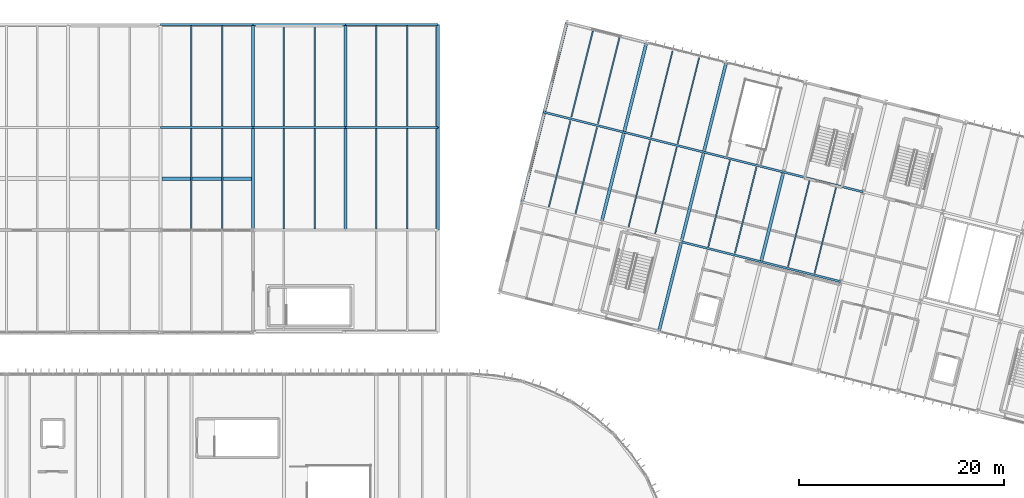
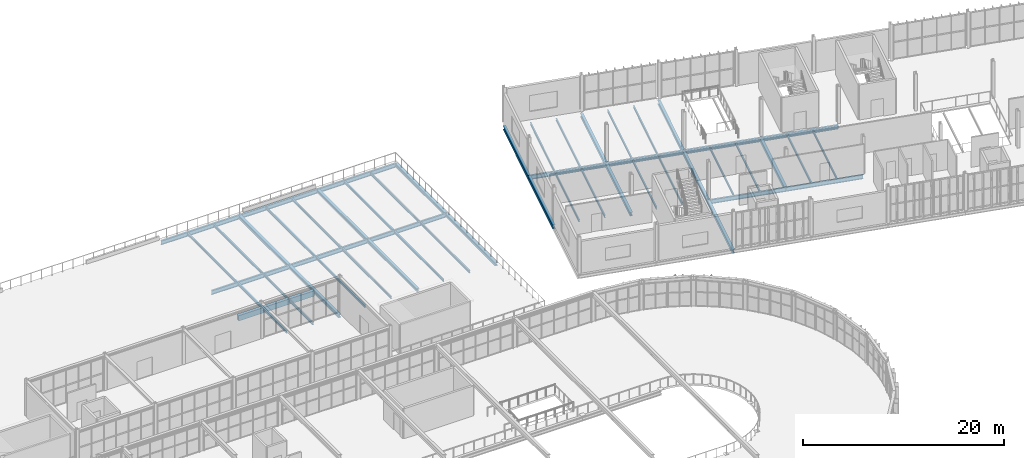
# One storey, part 81 of 152: 51 beams.
"""IFC4 building model written with IfcOpenShell, lengths in metres."""

from ifc_helpers import new_model, si_unit, derived_unit, direction, frame, origin, origin_2d, place, context, subcontext, project, spatial, rectangle, i_section, extrude, material, material_profile, profile_set, type_object, element, save


model = new_model("IFC4")

# Units and contexts
model_context = context("Model", 3, precision=1e-05, world=origin(), true_north=direction((0.0, 1.0)))
body_context = subcontext(model_context, "Body", "Model", "MODEL_VIEW")
ifc_project = project(units=[si_unit("LENGTHUNIT", "METRE"), si_unit("AREAUNIT", "SQUARE_METRE"), si_unit("VOLUMEUNIT", "CUBIC_METRE"), si_unit("PLANEANGLEUNIT", "RADIAN"), si_unit("MASSUNIT", "GRAM", prefix="KILO"), si_unit("THERMODYNAMICTEMPERATUREUNIT", "KELVIN"), si_unit("TIMEUNIT", "SECOND"), derived_unit("THERMALTRANSMITTANCEUNIT", [(si_unit("MASSUNIT", "GRAM", prefix="KILO"), 1), (si_unit("THERMODYNAMICTEMPERATUREUNIT", "KELVIN"), -1), (si_unit("TIMEUNIT", "SECOND"), -3)])], contexts=[model_context])

# Site, building, storey
site_placement = place(None, origin())
site = spatial("IfcSite", under=ifc_project, at=site_placement, CompositionType="ELEMENT")
building_placement = place(site_placement, origin())
building = spatial("IfcBuilding", under=site, at=building_placement, Name="Cambertide Market Hall", CompositionType="ELEMENT")
storey_placement = place(building_placement, frame((0.0, 0.0, 5.39990234375)))
storey = spatial("IfcBuildingStorey", under=building, at=storey_placement, Name="L02", CompositionType="ELEMENT", Elevation=5.39990234375)

# Beams
ifc_material_1 = material(Name="Concrete B30", Category="concrete")
ifc_material_profile_1 = material_profile(ifc_material_1, rectangle(XDim=0.35009765625, YDim=0.64990234375, at=origin_2d()), Name="RC 350x650")
ifc_profile_set_1 = profile_set([ifc_material_profile_1], Name="Concrete B30")
beam_type_1 = type_object("IfcBeamType", Name="Concrete Girder RC 350x650", PredefinedType="BEAM", material=ifc_profile_set_1)
beam_1_placement = place(storey_placement, frame((75.157958984375, 111.0, -0.614990234375), z_axis=(1.0, 0.0, 0.0), x_axis=(0.0, 1.0, 0.0)))
element("IfcBeam", 1, at=beam_1_placement, inside=storey, type_object=beam_type_1, Name="Level 2 Beam TRIM-V2-TERR-6", PredefinedType="BEAM", context=body_context, shape_type="SweptSolid", body=[
    extrude(rectangle(XDim=0.35009765625, YDim=0.64990234375, at=origin_2d()), origin(), (0.0, 0.0, 1.0), 8.68408203125),
])
ifc_material_2 = material(Name="Steel S355", Category="steel")
ifc_material_profile_2 = material_profile(ifc_material_2, i_section(OverallWidth=0.300048828125, OverallDepth=0.39990234375, WebThickness=0.013427734375, FlangeThickness=0.02392578125, FilletRadius=0.027099609375, at=origin_2d()), Name="HEB 400")
ifc_profile_set_2 = profile_set([ifc_material_profile_2], Name="Steel S355")
beam_type_2 = type_object("IfcBeamType", Name="Steel Girder HEB 400", PredefinedType="BEAM", material=ifc_profile_set_2)
for number, where, z_axis, x_axis, name in (
    (2, (84.0, 106.0, -0.489990234375), (0.0, 1.0, 0.0), (-1.0, 0.0, 0.0), "Level 2 Beam BM-V2Y-L02-9-2"),
    (3, (84.0, 116.0, -0.489990234375), (0.0, 1.0, 0.0), (-1.0, 0.0, 0.0), "Level 2 Beam BM-V2Y-L02-9-3"),
    (4, (93.0, 106.0, -0.489990234375), (0.0, 1.0, 0.0), (-1.0, 0.0, 0.0), "Level 2 Beam BM-V2Y-L02-10-2"),
    (5, (93.0, 116.0, -0.489990234375), (0.0, 1.0, 0.0), (-1.0, 0.0, 0.0), "Level 2 Beam BM-V2Y-L02-10-3"),
    (6, (102.0, 106.0, -0.489990234375), (0.0, 1.0, 0.0), (-1.0, 0.0, 0.0), "Level 2 Beam BM-V2Y-L02-11-2"),
    (7, (102.0, 116.0, -0.489990234375), (0.0, 1.0, 0.0), (-1.0, 0.0, 0.0), "Level 2 Beam BM-V2Y-L02-11-3"),
):
    element("IfcBeam", number, at=place(storey_placement, frame(where, z_axis=z_axis, x_axis=x_axis)), inside=storey, type_object=beam_type_2, Name=name, PredefinedType="BEAM", context=body_context, shape_type="SweptSolid", body=[
        extrude(i_section(OverallWidth=0.300048828125, OverallDepth=0.39990234375, WebThickness=0.013427734375, FlangeThickness=0.02392578125, FilletRadius=0.027099609375, at=origin_2d()), origin(), (0.0, 0.0, 1.0), 10.0),
    ])
ifc_material_3 = material(Name="Steel S355", Category="steel")
ifc_material_profile_3 = material_profile(ifc_material_3, i_section(OverallWidth=0.300048828125, OverallDepth=0.449951171875, WebThickness=0.013916015625, FlangeThickness=0.02587890625, FilletRadius=0.027099609375, at=origin_2d()), Name="HEB 450")
ifc_profile_set_3 = profile_set([ifc_material_profile_3], Name="Steel S355")
beam_type_3 = type_object("IfcBeamType", Name="Steel Girder HEB 450", PredefinedType="BEAM", material=ifc_profile_set_3)
beam_2_placement = place(storey_placement, frame((110.182861328125, 108.731201171875, -0.489990234375), z_axis=(0.242535625036, 0.970142500145, 0.0), x_axis=(-0.970142500145, 0.242535625036, 0.0)))
element("IfcBeam", 8, at=beam_2_placement, inside=storey, type_object=beam_type_3, Name="Level 2 Beam BM-V4V-L02-1-2", PredefinedType="BEAM", context=body_context, shape_type="SweptSolid", body=[
    extrude(i_section(OverallWidth=0.300048828125, OverallDepth=0.449951171875, WebThickness=0.013916015625, FlangeThickness=0.02587890625, FilletRadius=0.027099609375, at=origin_2d()), origin(), (0.0, 0.0, 1.0), 9.000244140625),
])
for number, where, z_axis, x_axis, name in (
    (9, (112.36572265625, 117.462646484375, -0.489990234375), (0.242542007841, 0.970140904422, 0.0), (-0.970140904422, 0.242542007841, 0.0), "Level 2 Beam BM-V4V-L02-1-3"),
    (10, (117.94384765625, 106.791015625, -0.489990234375), (0.242542007841, 0.970140904422, 0.0), (-0.970140904422, 0.242542007841, 0.0), "Level 2 Beam BM-V4V-L02-2-2"),
):
    element("IfcBeam", number, at=place(storey_placement, frame(where, z_axis=z_axis, x_axis=x_axis)), inside=storey, type_object=beam_type_3, Name=name, PredefinedType="BEAM", context=body_context, shape_type="SweptSolid", body=[
        extrude(i_section(OverallWidth=0.300048828125, OverallDepth=0.449951171875, WebThickness=0.013916015625, FlangeThickness=0.02587890625, FilletRadius=0.027099609375, at=origin_2d()), origin(), (0.0, 0.0, 1.0), 9.0),
    ])
for number, where, z_axis, x_axis, name in (
    (11, (120.126708984375, 115.522216796875, -0.489990234375), (0.242535625036, 0.970142500145, 0.0), (-0.970142500145, 0.242535625036, 0.0), "Level 2 Beam BM-V4V-L02-2-3"),
    (12, (123.522216796875, 96.119384765625, -0.489990234375), (0.242535625036, 0.970142500145, 0.0), (-0.970142500145, 0.242535625036, 0.0), "Level 2 Beam BM-V4V-L02-3-1"),
):
    element("IfcBeam", number, at=place(storey_placement, frame(where, z_axis=z_axis, x_axis=x_axis)), inside=storey, type_object=beam_type_3, Name=name, PredefinedType="BEAM", context=body_context, shape_type="SweptSolid", body=[
        extrude(i_section(OverallWidth=0.300048828125, OverallDepth=0.449951171875, WebThickness=0.013916015625, FlangeThickness=0.02587890625, FilletRadius=0.027099609375, at=origin_2d()), origin(), (0.0, 0.0, 1.0), 9.000244140625),
    ])
for number, where, z_axis, x_axis, name in (
    (13, (125.705078125, 104.850830078125, -0.489990234375), (0.242542007841, 0.970140904422, 0.0), (-0.970140904422, 0.242542007841, 0.0), "Level 2 Beam BM-V4V-L02-3-2"),
    (14, (127.887939453125, 113.58203125, -0.489990234375), (0.242542007841, 0.970140904422, 0.0), (-0.970140904422, 0.242542007841, 0.0), "Level 2 Beam BM-V4V-L02-3-3"),
    (15, (133.46630859375, 102.910400390625, -0.489990234375), (0.242542007841, 0.970140904422, 0.0), (-0.970140904422, 0.242542007841, 0.0), "Level 2 Beam BM-V4V-L02-4-2"),
):
    element("IfcBeam", number, at=place(storey_placement, frame(where, z_axis=z_axis, x_axis=x_axis)), inside=storey, type_object=beam_type_3, Name=name, PredefinedType="BEAM", context=body_context, shape_type="SweptSolid", body=[
        extrude(i_section(OverallWidth=0.300048828125, OverallDepth=0.449951171875, WebThickness=0.013916015625, FlangeThickness=0.02587890625, FilletRadius=0.027099609375, at=origin_2d()), origin(), (0.0, 0.0, 1.0), 9.0),
    ])
ifc_material_4 = material(Name="Steel S355", Category="steel")
ifc_material_profile_4 = material_profile(ifc_material_4, i_section(OverallWidth=0.199951171875, OverallDepth=0.5, WebThickness=0.01025390625, FlangeThickness=0.01611328125, FilletRadius=0.02099609375, at=origin_2d()), Name="IPE 500")
ifc_profile_set_4 = profile_set([ifc_material_profile_4], Name="Steel S355")
beam_type_4 = type_object("IfcBeamType", Name="Steel Girder IPE 500", PredefinedType="BEAM", material=ifc_profile_set_4)
for number, where, z_axis, x_axis, name in (
    (16, (75.0, 116.0, -0.539794921875), (1.0, 0.0, 0.0), (0.0, 1.0, 0.0), "Level 2 Beam BM-V2X-L02-8-3"),
    (17, (75.0, 126.0, -0.539794921875), (1.0, 0.0, 0.0), (0.0, 1.0, 0.0), "Level 2 Beam BM-V2X-L02-8-4"),
    (18, (84.0, 116.0, -0.539794921875), (1.0, 0.0, 0.0), (0.0, 1.0, 0.0), "Level 2 Beam BM-V2X-L02-9-3"),
    (19, (84.0, 126.0, -0.539794921875), (1.0, 0.0, 0.0), (0.0, 1.0, 0.0), "Level 2 Beam BM-V2X-L02-9-4"),
    (20, (93.0, 116.0, -0.539794921875), (1.0, 0.0, 0.0), (0.0, 1.0, 0.0), "Level 2 Beam BM-V2X-L02-10-3"),
    (21, (93.0, 126.0, -0.539794921875), (1.0, 0.0, 0.0), (0.0, 1.0, 0.0), "Level 2 Beam BM-V2X-L02-10-4"),
):
    element("IfcBeam", number, at=place(storey_placement, frame(where, z_axis=z_axis, x_axis=x_axis)), inside=storey, type_object=beam_type_4, Name=name, PredefinedType="BEAM", context=body_context, shape_type="SweptSolid", body=[
        extrude(i_section(OverallWidth=0.199951171875, OverallDepth=0.5, WebThickness=0.01025390625, FlangeThickness=0.01611328125, FilletRadius=0.02099609375, at=origin_2d()), origin(), (0.0, 0.0, 1.0), 9.0),
    ])
for number, where, z_axis, x_axis, name in (
    (22, (112.36572265625, 117.462646484375, -0.514892578125), (0.970137114374, -0.242557167103, 0.0), (0.242557167103, 0.970137114374, 0.0), "Level 2 Beam BM-V4U-L02-1-3"),
    (23, (120.126708984375, 115.522216796875, -0.514892578125), (0.970146090314, -0.242521263911, 0.0), (0.242521263911, 0.970146090314, 0.0), "Level 2 Beam BM-V4U-L02-2-3"),
):
    element("IfcBeam", number, at=place(storey_placement, frame(where, z_axis=z_axis, x_axis=x_axis)), inside=storey, type_object=beam_type_4, Name=name, PredefinedType="BEAM", context=body_context, shape_type="SweptSolid", body=[
        extrude(i_section(OverallWidth=0.199951171875, OverallDepth=0.5, WebThickness=0.01025390625, FlangeThickness=0.01611328125, FilletRadius=0.02099609375, at=origin_2d()), origin(), (0.0, 0.0, 1.0), 8.0),
    ])
for number, where, z_axis, x_axis, name in (
    (24, (125.705078125, 104.850830078125, -0.514892578125), (0.970138909791, -0.242549986002, 0.0), (0.242549986002, 0.970138909791, 0.0), "Level 2 Beam BM-V4U-L02-3-2"),
    (25, (127.887939453125, 113.58203125, -0.514892578125), (0.970138909791, -0.242549986002, 0.0), (0.242549986002, 0.970138909791, 0.0), "Level 2 Beam BM-V4U-L02-3-3"),
):
    element("IfcBeam", number, at=place(storey_placement, frame(where, z_axis=z_axis, x_axis=x_axis)), inside=storey, type_object=beam_type_4, Name=name, PredefinedType="BEAM", context=body_context, shape_type="SweptSolid", body=[
        extrude(i_section(OverallWidth=0.199951171875, OverallDepth=0.5, WebThickness=0.01025390625, FlangeThickness=0.01611328125, FilletRadius=0.02099609375, at=origin_2d()), origin(), (0.0, 0.0, 1.0), 8.000244140625),
    ])
for number, where, z_axis, x_axis, name in (
    (26, (133.46630859375, 102.910400390625, -0.514892578125), (0.970144295309, -0.242528444268, 0.0), (0.242528444268, 0.970144295309, 0.0), "Level 2 Beam BM-V4U-L02-4-2"),
    (27, (135.649169921875, 111.6416015625, -0.514892578125), (0.970144295309, -0.242528444268, 0.0), (0.242528444268, 0.970144295309, 0.0), "Level 2 Beam BM-V4U-L02-4-3"),
):
    element("IfcBeam", number, at=place(storey_placement, frame(where, z_axis=z_axis, x_axis=x_axis)), inside=storey, type_object=beam_type_4, Name=name, PredefinedType="BEAM", context=body_context, shape_type="SweptSolid", body=[
        extrude(i_section(OverallWidth=0.199951171875, OverallDepth=0.5, WebThickness=0.01025390625, FlangeThickness=0.01611328125, FilletRadius=0.02099609375, at=origin_2d()), origin(), (0.0, 0.0, 1.0), 7.999755859375),
    ])
ifc_material_5 = material(Name="Steel S275", Category="steel")
ifc_material_profile_5 = material_profile(ifc_material_5, i_section(OverallWidth=0.135009765625, OverallDepth=0.27001953125, WebThickness=0.006591796875, FlangeThickness=0.01025390625, FilletRadius=0.014892578125, at=origin_2d()), Name="IPE 270")
ifc_profile_set_5 = profile_set([ifc_material_profile_5], Name="Steel S275")
beam_type_5 = type_object("IfcBeamType", Name="Steel Secondary Joist IPE 270", PredefinedType="JOIST", material=ifc_profile_set_5)
for number, where, z_axis, x_axis, name in (
    (28, (112.8134765625, 108.259033203125, -0.39990234375), (0.242528976348, 0.970144162293, 0.0), (-0.970144162293, 0.242528976348, 0.0), "Level 2 Joist JS-V4-L02-1-2-1"),
    (29, (115.400634765625, 107.6123046875, -0.39990234375), (0.242528976348, 0.970144162293, 0.0), (-0.970144162293, 0.242528976348, 0.0), "Level 2 Joist JS-V4-L02-1-2-2"),
    (30, (114.996337890625, 116.990478515625, -0.39990234375), (0.242528976348, 0.970144162293, 0.0), (-0.970144162293, 0.242528976348, 0.0), "Level 2 Joist JS-V4-L02-1-3-1"),
):
    element("IfcBeam", number, at=place(storey_placement, frame(where, z_axis=z_axis, x_axis=x_axis)), inside=storey, type_object=beam_type_5, Name=name, PredefinedType="JOIST", context=body_context, shape_type="SweptSolid", body=[
        extrude(i_section(OverallWidth=0.135009765625, OverallDepth=0.27001953125, WebThickness=0.006591796875, FlangeThickness=0.01025390625, FilletRadius=0.014892578125, at=origin_2d()), origin(), (0.0, 0.0, 1.0), 8.64013671875),
    ])
beam_3_placement = place(storey_placement, frame((117.58349609375, 116.34375, -0.39990234375), z_axis=(0.242535625036, 0.970142500145, 0.0), x_axis=(-0.970142500145, 0.242535625036, 0.0)))
element("IfcBeam", 31, at=beam_3_placement, inside=storey, type_object=beam_type_5, Name="Level 2 Joist JS-V4-L02-1-3-2", PredefinedType="JOIST", context=body_context, shape_type="SweptSolid", body=[
    extrude(i_section(OverallWidth=0.135009765625, OverallDepth=0.27001953125, WebThickness=0.006591796875, FlangeThickness=0.01025390625, FilletRadius=0.014892578125, at=origin_2d()), origin(), (0.0, 0.0, 1.0), 8.639892578125),
])
for number, where, z_axis, x_axis, name in (
    (32, (120.57470703125, 106.31884765625, -0.39990234375), (0.242528976348, 0.970144162293, 0.0), (-0.970144162293, 0.242528976348, 0.0), "Level 2 Joist JS-V4-L02-2-2-1"),
    (33, (123.16162109375, 105.672119140625, -0.39990234375), (0.242555570896, 0.970137513463, 0.0), (-0.970137513463, 0.242555570896, 0.0), "Level 2 Joist JS-V4-L02-2-2-2"),
    (34, (122.757568359375, 115.050048828125, -0.39990234375), (0.242528976348, 0.970144162293, 0.0), (-0.970144162293, 0.242528976348, 0.0), "Level 2 Joist JS-V4-L02-2-3-1"),
    (35, (125.344482421875, 114.4033203125, -0.39990234375), (0.242528976348, 0.970144162293, 0.0), (-0.970144162293, 0.242528976348, 0.0), "Level 2 Joist JS-V4-L02-2-3-2"),
):
    element("IfcBeam", number, at=place(storey_placement, frame(where, z_axis=z_axis, x_axis=x_axis)), inside=storey, type_object=beam_type_5, Name=name, PredefinedType="JOIST", context=body_context, shape_type="SweptSolid", body=[
        extrude(i_section(OverallWidth=0.135009765625, OverallDepth=0.27001953125, WebThickness=0.006591796875, FlangeThickness=0.01025390625, FilletRadius=0.014892578125, at=origin_2d()), origin(), (0.0, 0.0, 1.0), 8.64013671875),
    ])
for number, where, z_axis, x_axis, name in (
    (36, (128.335693359375, 104.378662109375, -0.39990234375), (0.242562220222, 0.970135850962, 0.0), (-0.970135850962, 0.242562220222, 0.0), "Level 2 Joist JS-V4-L02-3-2-1"),
    (37, (130.9228515625, 103.73193359375, -0.39990234375), (0.242535625036, 0.970142500145, 0.0), (-0.970142500145, 0.242535625036, 0.0), "Level 2 Joist JS-V4-L02-3-2-2"),
):
    element("IfcBeam", number, at=place(storey_placement, frame(where, z_axis=z_axis, x_axis=x_axis)), inside=storey, type_object=beam_type_5, Name=name, PredefinedType="JOIST", context=body_context, shape_type="SweptSolid", body=[
        extrude(i_section(OverallWidth=0.135009765625, OverallDepth=0.27001953125, WebThickness=0.006591796875, FlangeThickness=0.01025390625, FilletRadius=0.014892578125, at=origin_2d()), origin(), (0.0, 0.0, 1.0), 8.639892578125),
    ])
for number, where, z_axis, x_axis, name in (
    (38, (136.096923828125, 102.438232421875, -0.39990234375), (0.242528976348, 0.970144162293, 0.0), (-0.970144162293, 0.242528976348, 0.0), "Level 2 Joist JS-V4-L02-4-2-1"),
    (39, (138.68408203125, 101.79150390625, -0.39990234375), (0.242528976348, 0.970144162293, 0.0), (-0.970144162293, 0.242528976348, 0.0), "Level 2 Joist JS-V4-L02-4-2-2"),
):
    element("IfcBeam", number, at=place(storey_placement, frame(where, z_axis=z_axis, x_axis=x_axis)), inside=storey, type_object=beam_type_5, Name=name, PredefinedType="JOIST", context=body_context, shape_type="SweptSolid", body=[
        extrude(i_section(OverallWidth=0.135009765625, OverallDepth=0.27001953125, WebThickness=0.006591796875, FlangeThickness=0.01025390625, FilletRadius=0.014892578125, at=origin_2d()), origin(), (0.0, 0.0, 1.0), 8.64013671875),
    ])
ifc_material_6 = material(Name="Steel S275", Category="steel")
ifc_material_profile_6 = material_profile(ifc_material_6, i_section(OverallWidth=0.14990234375, OverallDepth=0.300048828125, WebThickness=0.007080078125, FlangeThickness=0.0107421875, FilletRadius=0.014892578125, at=origin_2d()), Name="IPE 300")
ifc_profile_set_6 = profile_set([ifc_material_profile_6], Name="Steel S275")
beam_type_6 = type_object("IfcBeamType", Name="Steel Secondary Joist IPE 300", PredefinedType="JOIST", material=ifc_profile_set_6)
for number, where, z_axis, x_axis, name in (
    (40, (78.0, 106.10791015625, -0.43994140625), (0.0, 1.0, 0.0), (-1.0, 0.0, 0.0), "Level 2 Joist JS-V2-L02-8-2-1"),
    (41, (81.0, 106.10791015625, -0.43994140625), (0.0, 1.0, 0.0), (-1.0, 0.0, 0.0), "Level 2 Joist JS-V2-L02-8-2-2"),
    (42, (78.0, 116.10791015625, -0.43994140625), (0.0, 1.0, 0.0), (-1.0, 0.0, 0.0), "Level 2 Joist JS-V2-L02-8-3-1"),
    (43, (81.0, 116.10791015625, -0.43994140625), (0.0, 1.0, 0.0), (-1.0, 0.0, 0.0), "Level 2 Joist JS-V2-L02-8-3-2"),
    (44, (87.0, 106.10791015625, -0.43994140625), (0.0, 1.0, 0.0), (-1.0, 0.0, 0.0), "Level 2 Joist JS-V2-L02-9-2-1"),
    (45, (90.0, 106.10791015625, -0.43994140625), (0.0, 1.0, 0.0), (-1.0, 0.0, 0.0), "Level 2 Joist JS-V2-L02-9-2-2"),
    (46, (87.0, 116.10791015625, -0.43994140625), (0.0, 1.0, 0.0), (-1.0, 0.0, 0.0), "Level 2 Joist JS-V2-L02-9-3-1"),
    (47, (90.0, 116.10791015625, -0.43994140625), (0.0, 1.0, 0.0), (-1.0, 0.0, 0.0), "Level 2 Joist JS-V2-L02-9-3-2"),
    (48, (96.0, 106.10791015625, -0.43994140625), (0.0, 1.0, 0.0), (-1.0, 0.0, 0.0), "Level 2 Joist JS-V2-L02-10-2-1"),
    (49, (99.0, 106.10791015625, -0.43994140625), (0.0, 1.0, 0.0), (-1.0, 0.0, 0.0), "Level 2 Joist JS-V2-L02-10-2-2"),
    (50, (96.0, 116.10791015625, -0.43994140625), (0.0, 1.0, 0.0), (-1.0, 0.0, 0.0), "Level 2 Joist JS-V2-L02-10-3-1"),
    (51, (99.0, 116.10791015625, -0.43994140625), (0.0, 1.0, 0.0), (-1.0, 0.0, 0.0), "Level 2 Joist JS-V2-L02-10-3-2"),
):
    element("IfcBeam", number, at=place(storey_placement, frame(where, z_axis=z_axis, x_axis=x_axis)), inside=storey, type_object=beam_type_6, Name=name, PredefinedType="JOIST", context=body_context, shape_type="SweptSolid", body=[
        extrude(i_section(OverallWidth=0.14990234375, OverallDepth=0.300048828125, WebThickness=0.007080078125, FlangeThickness=0.0107421875, FilletRadius=0.014892578125, at=origin_2d()), origin(), (0.0, 0.0, 1.0), 9.7841796875),
    ])

save(model, "model.ifc")
